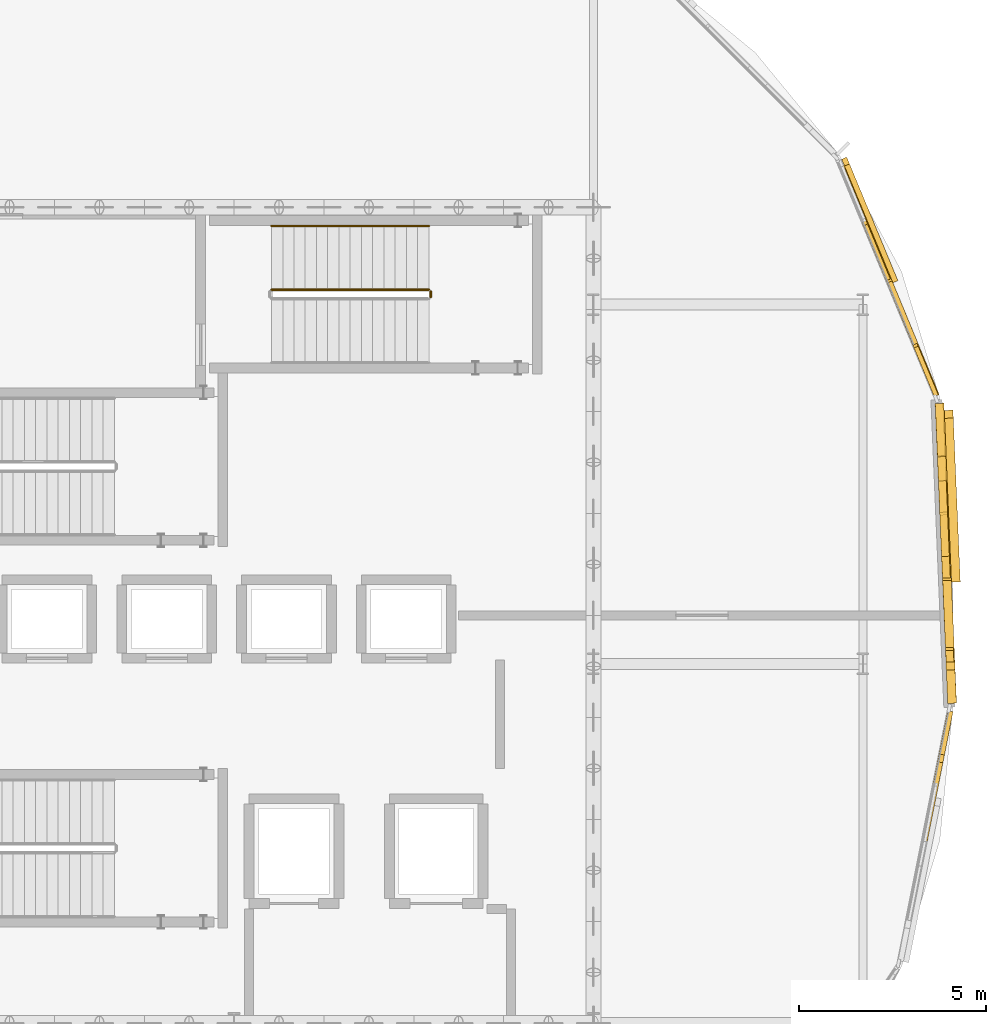
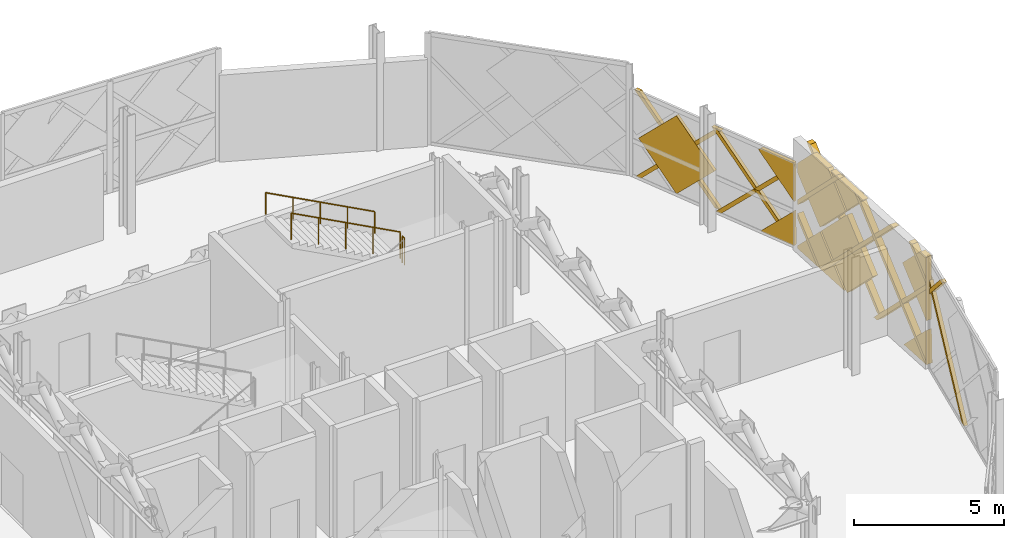
# One storey, part 72 of 77: 22 coverings, 3 railings.
"""IFC4 building model written with IfcOpenShell, lengths in metres."""

from ifc_helpers import new_model, si_unit, direction, frame, origin, origin_2d, place, context, subcontext, project, spatial, polyline, circle, outline, extrude, material, layer, layer_set, type_object, element, save


model = new_model("IFC4")

# Units and contexts
model_context = context("Model", 3, precision=1e-05, world=origin(), true_north=direction((0.0, 1.0)))
body_context = subcontext(model_context, "Body", "Model", "MODEL_VIEW")
ifc_project = project(units=[si_unit("LENGTHUNIT", "METRE"), si_unit("AREAUNIT", "SQUARE_METRE"), si_unit("VOLUMEUNIT", "CUBIC_METRE"), si_unit("PLANEANGLEUNIT", "RADIAN"), si_unit("MASSUNIT", "GRAM", prefix="KILO")], contexts=[model_context])

# Site, building, storey
site_placement = place(None, origin())
site = spatial("IfcSite", under=ifc_project, at=site_placement, CompositionType="ELEMENT")
building_placement = place(site_placement, origin())
building = spatial("IfcBuilding", under=site, at=building_placement, Name="Zevrakil Square Congress Hotel", CompositionType="ELEMENT")
storey_placement = place(building_placement, frame((0.0, 0.0, 9.89990234375)))
storey = spatial("IfcBuildingStorey", under=building, at=storey_placement, Name="L03", CompositionType="ELEMENT", Elevation=9.89990234375)

# Coverings
ifc_material_1 = material(Name="Architectural White Fibre-C GRC", Category="concrete")
ifc_layer_1 = layer(ifc_material_1, 0.06494140625)
ifc_layer_set_1 = layer_set([ifc_layer_1], Name="Architectural White Fibre-C GRC")
covering_type_1 = type_object("IfcCoveringType", Name="COV-DIA-WHITE", PredefinedType="CLADDING", material=ifc_layer_set_1)
covering_1_placement = place(storey_placement, frame((165.616455078125, 26.7607421875, 0.080078125), z_axis=(0.999121497212, 0.041904229173, 0.000519024154), x_axis=(0.041904234817, -0.999121631787, 0.0)))
element("IfcCovering", 1, at=covering_1_placement, inside=storey, type_object=covering_type_1, Name="L03 45-degree white GRC diamond facade cassette 2117", PredefinedType="CLADDING", context=body_context, shape_type="SweptSolid", body=[
    extrude(outline(polyline([(0.0, 0.0), (1.4099298438075665, 0.0), (1.4098991522293316, -1.4099122992803812), (0.0, 0.0)])), origin(), (0.0, 0.0, -1.0), 0.2099609375),
])
covering_2_placement = place(storey_placement, frame((165.39697265625, 31.96630859375, 1.590087890625), z_axis=(0.999117071342, 0.042008159141, 0.000626353729), x_axis=(-0.029261594529, 0.706497509785, -0.707110336336)))
element("IfcCovering", 2, at=covering_2_placement, inside=storey, type_object=covering_type_1, Name="L03 45-degree white GRC diamond facade cassette 2118", PredefinedType="CLADDING", context=body_context, shape_type="SweptSolid", body=[
    extrude(outline(polyline([(0.0, 0.0), (1.9797507718766607, 0.0), (2.057601724047844, -0.0778646427593247), (-9.105947019616423e-05, -2.1355787698360675), (0.0, 0.0)])), origin(), (0.0, 0.0, -1.0), 0.2099609375),
])
covering_3_placement = place(storey_placement, frame((165.46630859375, 30.28759765625, 3.27001953125), z_axis=(0.999120733759, 0.041921149668, 0.000613663407), x_axis=(-0.029210473166, 0.70653349415, -0.707076495085)))
element("IfcCovering", 3, at=covering_3_placement, inside=storey, type_object=covering_type_1, Name="L03 45-degree white GRC diamond facade cassette 2119", PredefinedType="CLADDING", context=body_context, shape_type="SweptSolid", body=[
    extrude(outline(polyline([(0.0, 0.0), (2.2484749022726724, -2.220446049250313e-16), (2.248397867358659, -2.248705423972269), (-7.71674826014479e-05, -2.24836031321521), (0.0, 0.0)])), origin(), (0.0, 0.0, -1.0), 0.2099609375),
])
covering_4_placement = place(storey_placement, frame((165.611083984375, 26.840576171875, 3.360107421875), z_axis=(0.999113739584, 0.04208715907, 0.000637506914), x_axis=(0.030209402053, -0.70643462135, -0.707133309769)))
element("IfcCovering", 4, at=covering_4_placement, inside=storey, type_object=covering_type_1, Name="L03 45-degree white GRC diamond facade cassette 2120", PredefinedType="CLADDING", context=body_context, shape_type="SweptSolid", body=[
    extrude(outline(polyline([(0.0, 0.0), (2.107085185651485, 2.220446049250313e-16), (0.2756759802971833, -1.8315288088410193), (-0.00025915877418936084, -1.5555730118063784), (0.0, 0.0)])), origin(), (0.0, 0.0, -1.0), 0.2099609375),
])
covering_5_placement = place(storey_placement, frame((165.396728515625, 31.96630859375, 1.77001953125), z_axis=(0.999119731652, 0.041945422914, 0.000585934533), x_axis=(0.029247224089, -0.706531897972, 0.70707657084)))
element("IfcCovering", 5, at=covering_5_placement, inside=storey, type_object=covering_type_1, Name="L03 45-degree white GRC diamond facade cassette 2121", PredefinedType="CLADDING", context=body_context, shape_type="SweptSolid", body=[
    extrude(outline(polyline([(0.0, 0.0), (2.2488200198154544, -2.220446049250313e-16), (2.248745362523564, -1.5557816166035379), (1.5556686477682098, -2.248799474228993), (0.2686544103048818, -2.2486033895794457), (5.531435692385234e-05, -1.9799669511759208), (0.0, 0.0)])), origin(), (0.0, 0.0, -1.0), 0.2099609375),
])
covering_6_placement = place(storey_placement, frame((165.46630859375, 30.28759765625, 3.4501953125), z_axis=(0.999119854483, 0.041942244073, 0.000603770761), x_axis=(0.029229403131, -0.706462708432, 0.70714643716)))
element("IfcCovering", 6, at=covering_6_placement, inside=storey, type_object=covering_type_1, Name="L03 45-degree white GRC diamond facade cassette 2122", PredefinedType="CLADDING", context=body_context, shape_type="SweptSolid", body=[
    extrude(outline(polyline([(0.0, 0.0), (1.4282894073276753, -1.1102230246251565e-16), (0.00012452676544205676, -1.4283256035079015), (0.0, 0.0)])), origin(), (0.0, 0.0, -1.0), 0.2099609375),
])
covering_7_placement = place(storey_placement, frame((164.6748046875, 34.88916015625, 0.080078125), z_axis=(0.923832993143, 0.382795117661, 0.000706169193), x_axis=(0.382795213106, -0.923833223489, 0.0)))
element("IfcCovering", 7, at=covering_7_placement, inside=storey, type_object=covering_type_1, Name="L03 45-degree white GRC diamond facade cassette 2130", PredefinedType="CLADDING", context=body_context, shape_type="SweptSolid", body=[
    extrude(outline(polyline([(0.0, 0.0), (1.4101402091595991, 0.0), (1.4099919309298783, -1.409912460919042), (0.0, 0.0)])), origin(), (0.0, 0.0, -1.0), 0.1201171875),
])
covering_8_placement = place(storey_placement, frame((163.322265625, 38.14990234375, 3.27001953125), z_axis=(0.923869781473, 0.382706569773, 0.000555278435), x_axis=(-0.270260129033, 0.653445263236, -0.707084684185)))
element("IfcCovering", 8, at=covering_8_placement, inside=storey, type_object=covering_type_1, Name="L03 45-degree white GRC diamond facade cassette 2132", PredefinedType="CLADDING", context=body_context, shape_type="SweptSolid", body=[
    extrude(outline(polyline([(0.0, 0.0), (2.248448857112404, 2.220446049250313e-16), (2.248338154573723, -2.248764981224629), (-0.00028333063540597614, -2.248592342391748), (0.0, 0.0)])), origin(), (0.0, 0.0, -1.0), 0.1201171875),
])
covering_9_placement = place(storey_placement, frame((164.642333984375, 34.96240234375, 3.360107421875), z_axis=(0.923851914825, 0.382749728335, 0.000533791904), x_axis=(0.270993779694, -0.653117836793, -0.707106401209)))
element("IfcCovering", 9, at=covering_9_placement, inside=storey, type_object=covering_type_1, Name="L03 45-degree white GRC diamond facade cassette 2133", PredefinedType="CLADDING", context=body_context, shape_type="SweptSolid", body=[
    extrude(outline(polyline([(0.0, 0.0), (2.107165542793382, -2.220446049250313e-16), (0.9865499416425134, -1.1208579849438127), (0.00010647078843312174, -0.13441527997717706), (0.0, 0.0)])), origin(), (0.0, 0.0, -1.0), 0.1201171875),
])
ifc_material_2 = material(Name="Anodised Champagne Aluminium", Category="aluminium")
ifc_layer_2 = layer(ifc_material_2, 0.0849609375)
ifc_layer_set_2 = layer_set([ifc_layer_2], Name="Anodised Champagne Aluminium")
covering_type_2 = type_object("IfcCoveringType", Name="COV-DIAGRID-45", PredefinedType="MOLDING", material=ifc_layer_set_2)
covering_10_placement = place(storey_placement, frame((164.95263671875, 21.828369140625, 0.080078125), z_axis=(0.980785460149, -0.195088507288, 0.000596225565), x_axis=(-0.195088541778, -0.980785634513, -3.17584e-07)))
element("IfcCovering", 10, at=covering_10_placement, inside=storey, type_object=covering_type_2, Name="L03 45-degree aluminium diagrid rib 2113", PredefinedType="MOLDING", context=body_context, shape_type="SweptSolid", body=[
    extrude(outline(polyline([(0.0, 0.0), (0.212060381876332, 3.3881317890172014e-21), (-3.3595473824955953, -3.5717769116692537), (-3.3595949441561332, -3.359618603472679), (0.0, 0.0)])), origin(), (0.0, 0.0, -1.0), 0.14501953125),
])
covering_11_placement = place(storey_placement, frame((165.333984375, 23.759033203125, 4.460205078125), z_axis=(0.980776977668, -0.195131208126, 0.000575926464), x_axis=(0.195131240668, 0.98077714029, -3.1839e-07)))
element("IfcCovering", 11, at=covering_11_placement, inside=storey, type_object=covering_type_2, Name="L03 45-degree aluminium diagrid rib 2116", PredefinedType="MOLDING", context=body_context, shape_type="SweptSolid", body=[
    extrude(outline(polyline([(0.0, 0.0), (0.21210801622084186, -3.3881317890172014e-21), (1.3916301479558535, -1.1796872525645892), (1.3916778549680122, -1.3918455583930704), (0.0, 0.0)])), origin(), (0.0, 0.0, -1.0), 0.14501953125),
])
covering_12_placement = place(storey_placement, frame((165.698486328125, 25.35302734375, 3.35400390625), z_axis=(0.999119098348, 0.041961341547, 0.000522620164), x_axis=(-0.000522159858, -2.1929846e-05, 0.999999863434)))
element("IfcCovering", 12, at=covering_12_placement, inside=storey, type_object=covering_type_2, Name="L03 45-degree aluminium diagrid rib 2123", PredefinedType="MOLDING", context=body_context, shape_type="SweptSolid", body=[
    extrude(outline(polyline([(0.0, 0.0), (0.21215817415141827, 7.1881995230858105e-22), (1.1062013229444092, -0.8938779616822453), (1.106201264997242, -1.1059741785530661), (0.0, 0.0)])), origin(), (0.0, 0.0, -1.0), 0.235107421875),
])
covering_13_placement = place(storey_placement, frame((165.697021484375, 25.439208984375, 0.080078125), z_axis=(0.99914121346, 0.041417963889, 0.00117806307), x_axis=(0.041417994069, -0.999141906721, -1.222271e-06)))
element("IfcCovering", 13, at=covering_13_placement, inside=storey, type_object=covering_type_2, Name="L03 45-degree aluminium diagrid rib 2124", PredefinedType="MOLDING", context=body_context, shape_type="SweptSolid", body=[
    extrude(outline(polyline([(0.0, 0.0), (0.08625936596276865, 0.0), (0.08624909987191366, -0.12622090289216825), (-4.167856100946326, -4.380124844933745), (-4.379952346752038, -4.38012459095523), (0.0, 0.0)])), origin(), (0.0, 0.0, -1.0), 0.235107421875),
])
covering_14_placement = place(storey_placement, frame((165.555908203125, 28.796142578125, 0.080078125), z_axis=(-0.999092717261, -0.042588053616, 2.309627e-06), x_axis=(0.042588053616, -0.999092717264, 0.0)))
element("IfcCovering", 14, at=covering_14_placement, inside=storey, type_object=covering_type_2, Name="L03 45-degree aluminium diagrid rib 2125", PredefinedType="MOLDING", context=body_context, shape_type="SweptSolid", body=[
    extrude(outline(polyline([(0.0, 0.0), (0.212106503068509, 3.308722450212111e-24), (-4.167843481598416, 4.380126953136682), (-4.379949984666925, 4.380126953136682), (0.0, 0.0)])), origin(), (0.0, 0.0, -1.0), 0.235107421875),
])
covering_15_placement = place(storey_placement, frame((165.414794921875, 32.1533203125, 0.080078125), z_axis=(0.999118864271, 0.04196620981, 0.000576448399), x_axis=(0.041966216972, -0.999119030263, -3.30553e-07)))
element("IfcCovering", 15, at=covering_15_placement, inside=storey, type_object=covering_type_2, Name="L03 45-degree aluminium diagrid rib 2126", PredefinedType="MOLDING", context=body_context, shape_type="SweptSolid", body=[
    extrude(outline(polyline([(0.0, 0.0), (0.2123503875308093, 1.6940658945086007e-21), (-1.2137507304858195, -1.4260252263456479), (-1.213740414778649, -1.2141110584473134), (0.0, 0.0)])), origin(), (0.0, 0.0, -1.0), 0.235107421875),
])
covering_16_placement = place(storey_placement, frame((165.69873046875, 25.35302734375, 3.154052734375), z_axis=(0.999118865006, 0.041965528199, 0.000622922358), x_axis=(-0.000624400187, 2.2107918e-05, 0.999999804818)))
element("IfcCovering", 16, at=covering_16_placement, inside=storey, type_object=covering_type_2, Name="L03 45-degree aluminium diagrid rib 2127", PredefinedType="MOLDING", context=body_context, shape_type="SweptSolid", body=[
    extrude(outline(polyline([(0.0, 0.0), (0.21215831415694802, 1.6940658945086007e-21), (-3.073816514715066, -3.2861659992145555), (-3.073826687586093, -3.0740697830544357), (0.0, 0.0)])), origin(), (0.0, 0.0, -1.0), 0.235107421875),
])
covering_17_placement = place(storey_placement, frame((165.61181640625, 27.405029296875, 4.460205078125), z_axis=(0.99911787326, 0.041989409757, 0.000603987721), x_axis=(-0.041989417616, 0.999118055491, 3.32319e-07)))
element("IfcCovering", 17, at=covering_17_placement, inside=storey, type_object=covering_type_2, Name="L03 45-degree aluminium diagrid rib 2128", PredefinedType="MOLDING", context=body_context, shape_type="SweptSolid", body=[
    extrude(outline(polyline([(0.0, 0.0), (0.21235039030114486, 0.0), (4.592316535420826, -4.380129278178059), (4.380220321748859, -4.38012913712631), (0.0, 0.0)])), origin(), (0.0, 0.0, -1.0), 0.235107421875),
])
covering_18_placement = place(storey_placement, frame((165.470703125, 30.76220703125, 4.460205078125), z_axis=(0.999141695819, 0.041423078373, 1.5959749e-05), x_axis=(-0.041423078378, 0.999141695946, 2.55e-10)))
element("IfcCovering", 18, at=covering_18_placement, inside=storey, type_object=covering_type_2, Name="L03 45-degree aluminium diagrid rib 2129", PredefinedType="MOLDING", context=body_context, shape_type="SweptSolid", body=[
    extrude(outline(polyline([(0.0, 0.0), (0.21209624582584644, 2.6469779601696886e-23), (2.6059949183124678, -2.394042969718874), (2.6059949182584123, -2.6062011728168537), (0.0, 0.0)])), origin(), (0.0, 0.0, -1.0), 0.235107421875),
])
covering_19_placement = place(storey_placement, frame((165.20458984375, 33.675537109375, 0.080078125), z_axis=(0.923653118243, 0.383229587623, 1.8180227e-05), x_axis=(0.383229587687, -0.923653118395, -7.416e-09)))
element("IfcCovering", 19, at=covering_19_placement, inside=storey, type_object=covering_type_2, Name="L03 45-degree aluminium diagrid rib 2135", PredefinedType="MOLDING", context=body_context, shape_type="SweptSolid", body=[
    extrude(outline(polyline([(0.0, 0.0), (0.08591876411528272, 1.0587911840678754e-22), (0.08591876317923024, -0.12622070310414074), (-3.1628828662358783, -3.374999976929442), (-3.3751164860530536, -3.3749999746592434), (0.0, 0.0)])), origin(), (0.0, 0.0, -1.0), 0.14501953125),
])
covering_20_placement = place(storey_placement, frame((163.918701171875, 36.77978515625, 0.080078125), z_axis=(-0.92362451953, -0.383298504977, 5.4826689e-05), x_axis=(0.383298505553, -0.923624520918, 1.0201e-08)))
element("IfcCovering", 20, at=covering_20_placement, inside=storey, type_object=covering_type_2, Name="L03 45-degree aluminium diagrid rib 2136", PredefinedType="MOLDING", context=body_context, shape_type="SweptSolid", body=[
    extrude(outline(polyline([(0.0, 0.0), (0.21200812210090625, 1.6940658945086007e-21), (-3.162882801846128, 3.375000037285521), (-3.359791861001333, 3.3750000414010994), (-3.359791861158226, 3.359619182049217), (0.0, 0.0)])), origin(), (0.0, 0.0, -1.0), 0.14501953125),
])
covering_21_placement = place(storey_placement, frame((165.23583984375, 33.595458984375, 3.154052734375), z_axis=(0.923632880293, 0.383276249073, 0.001272531947), x_axis=(-0.00093702634, -0.001062059895, 0.999998997005)))
element("IfcCovering", 21, at=covering_21_placement, inside=storey, type_object=covering_type_2, Name="L03 45-degree aluminium diagrid rib 2137", PredefinedType="MOLDING", context=body_context, shape_type="SweptSolid", body=[
    extrude(outline(polyline([(0.0, 0.0), (0.21215847838948346, -2.710505431213761e-20), (-3.0760198263573826, -3.2841547411352763), (-3.0758877940517224, -3.071921164609398), (0.0, 0.0)])), origin(), (0.0, 0.0, -1.0), 0.14501953125),
])
covering_22_placement = place(storey_placement, frame((164.065185546875, 36.42138671875, 3.455078125), z_axis=(0.923721811492, 0.383062718838, 0.000984078634), x_axis=(-0.383062904319, 0.923722258763, 0.0)))
element("IfcCovering", 22, at=covering_22_placement, inside=storey, type_object=covering_type_2, Name="L03 45-degree aluminium diagrid rib 2138", PredefinedType="MOLDING", context=body_context, shape_type="SweptSolid", body=[
    extrude(outline(polyline([(0.0, 0.0), (0.21223362327273487, 0.0), (3.587300317417725, -3.3750016341943425), (3.3750666941449903, -3.3750016341943425), (0.0, 0.0)])), origin(), (0.0, 0.0, -1.0), 0.14501953125),
])

# Railings
ifc_material_3 = material(Name="Steel S355", Category="steel")
railing_type_1 = type_object("IfcRailingType", Name="RLG-STAIR-GUARD-1100", PredefinedType="BALUSTRADE", material=ifc_material_3)
railing_1_placement = place(storey_placement, frame((151.64990234375, 36.199951171875, 2.400146484375)))
element("IfcRailing", 23, at=railing_1_placement, inside=storey, type_object=railing_type_1, Name="L03 ST03 stair guard 2", PredefinedType="BALUSTRADE", context=body_context, shape_type="SweptSolid", body=[
    extrude(circle(Radius=0.02392578125, at=origin_2d()), frame((0.0, 0.0, 1.076171875), z_axis=(0.0, 1.0, 0.0), x_axis=(-1.0, 0.0, 0.0)), (0.0, 0.0, 1.0), 0.150146484375),
    extrude(circle(Radius=0.02099609375, at=origin_2d()), origin(), (0.0, 0.0, 1.0), 1.052001953125),
    extrude(circle(Radius=0.02099609375, at=origin_2d()), frame((0.0, 0.150146484375, 0.0)), (0.0, 0.0, 1.0), 1.052001953125),
])
railing_2_placement = place(storey_placement, frame((151.60009765625, 36.39990234375, 2.56005859375)))
element("IfcRailing", 24, at=railing_2_placement, inside=storey, type_object=railing_type_1, Name="L03 ST03 stair guard 3", PredefinedType="BALUSTRADE", context=body_context, shape_type="SweptSolid", body=[
    extrude(circle(Radius=0.02392578125, at=origin_2d()), frame((0.0, 0.0, 1.076171875), z_axis=(-0.882362879185, 0.0, 0.470569601054), x_axis=(0.0, -1.0, 0.0)), (0.0, 0.0, 1.0), 4.76025390625),
    extrude(circle(Radius=0.02099609375, at=origin_2d()), origin(), (0.0, 0.0, 1.0), 1.052001953125),
    extrude(circle(Radius=0.02099609375, at=origin_2d()), frame((-1.050048828125, 0.0, 0.56005859375)), (0.0, 0.0, 1.0), 1.052001953125),
    extrude(circle(Radius=0.02099609375, at=origin_2d()), frame((-2.10009765625, 0.0, 1.1201171875)), (0.0, 0.0, 1.0), 1.052001953125),
    extrude(circle(Radius=0.02099609375, at=origin_2d()), frame((-3.150146484375, 0.0, 1.679931640625)), (0.0, 0.0, 1.0), 1.052001953125),
    extrude(circle(Radius=0.02099609375, at=origin_2d()), frame((-4.2001953125, 0.0, 2.239990234375)), (0.0, 0.0, 1.0), 1.052001953125),
])
ifc_material_4 = material(Name="Steel S355", Category="steel")
railing_type_2 = type_object("IfcRailingType", Name="RLG-STAIR-HAND-900", PredefinedType="HANDRAIL", material=ifc_material_4)
railing_3_placement = place(storey_placement, frame((151.60009765625, 38.10009765625, 2.56005859375)))
element("IfcRailing", 25, at=railing_3_placement, inside=storey, type_object=railing_type_2, Name="L03 ST03 stair handrail 2", PredefinedType="HANDRAIL", context=body_context, shape_type="SweptSolid", body=[
    extrude(circle(Radius=0.02392578125, at=origin_2d()), frame((0.0, 0.0, 0.8759765625), z_axis=(-0.882362879185, 0.0, 0.470569601054), x_axis=(0.0, -1.0, 0.0)), (0.0, 0.0, 1.0), 4.76025390625),
    extrude(circle(Radius=0.02099609375, at=origin_2d()), origin(), (0.0, 0.0, 1.0), 0.851806640625),
    extrude(circle(Radius=0.02099609375, at=origin_2d()), frame((-1.050048828125, 0.0, 0.56005859375)), (0.0, 0.0, 1.0), 0.851806640625),
    extrude(circle(Radius=0.02099609375, at=origin_2d()), frame((-2.10009765625, 0.0, 1.1201171875)), (0.0, 0.0, 1.0), 0.851806640625),
    extrude(circle(Radius=0.02099609375, at=origin_2d()), frame((-3.150146484375, 0.0, 1.679931640625)), (0.0, 0.0, 1.0), 0.851806640625),
    extrude(circle(Radius=0.02099609375, at=origin_2d()), frame((-4.2001953125, 0.0, 2.239990234375)), (0.0, 0.0, 1.0), 0.851806640625),
])

save(model, "model.ifc")
